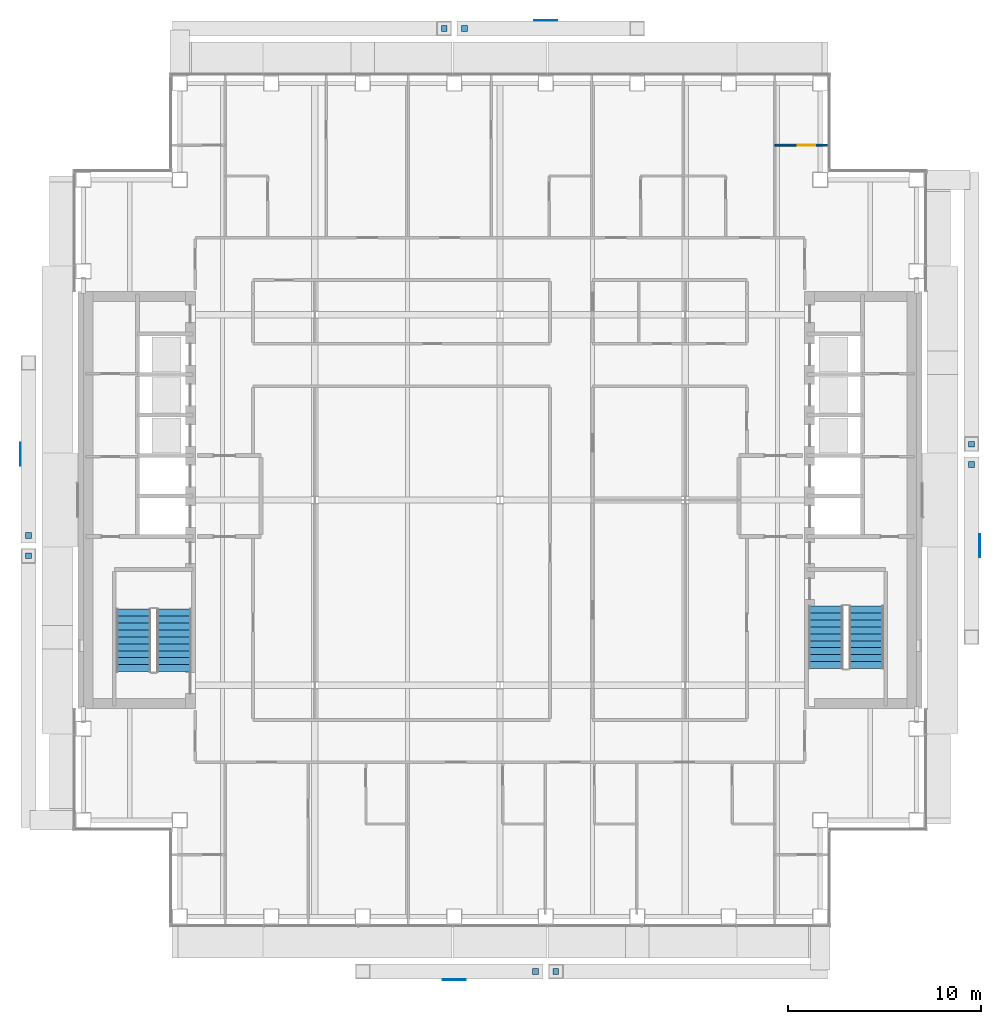
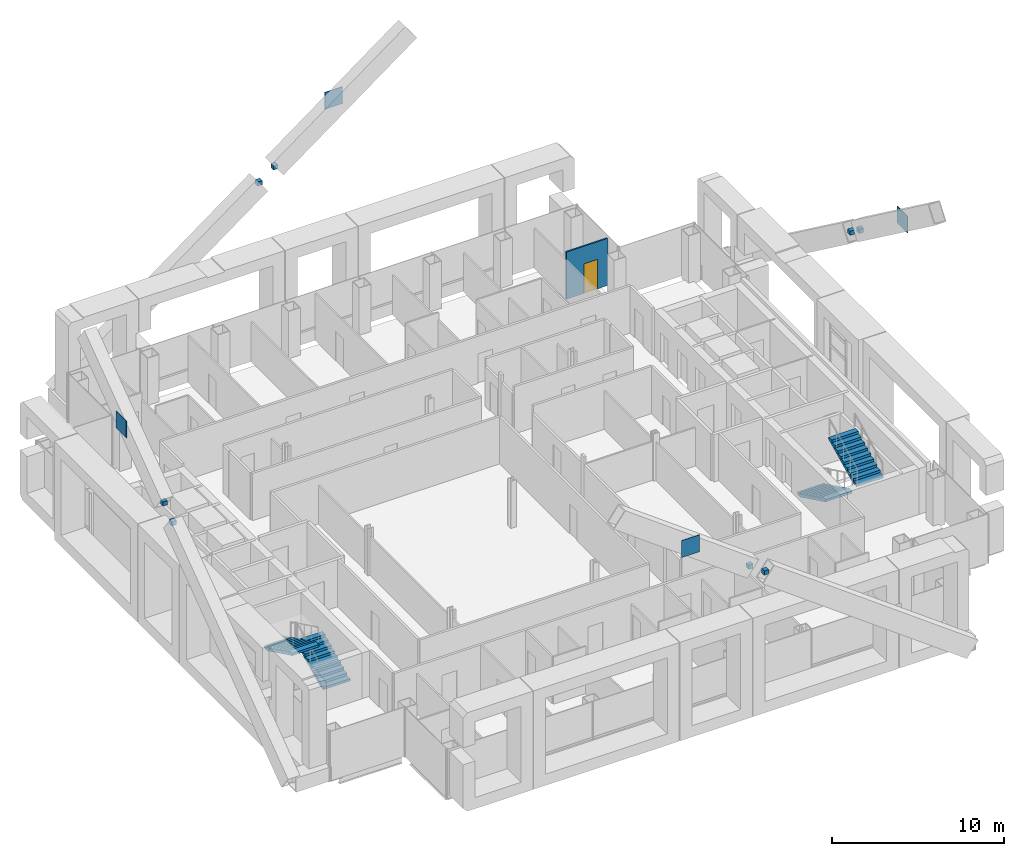
# One storey, part 16 of 22: 12 discrete accessories, 4 stair flights, 1 door, 1 wall, 1 opening, 2 elements without a shape of their own.
"""IFC4 building model written with IfcOpenShell, lengths in metres."""

from ifc_helpers import new_model, si_unit, direction, frame, frame_2d, origin, origin_2d, place, context, subcontext, project, spatial, polyline, rectangle, outline, extrude, material, layer, layer_set, type_object, element, fill, aggregate, save


model = new_model("IFC4")

# Units and contexts
model_context = context("Model", 3, precision=1e-05, world=origin(), true_north=direction((0.0, 1.0)))
body_context = subcontext(model_context, "Body", "Model", "MODEL_VIEW")
ifc_project = project(units=[si_unit("LENGTHUNIT", "METRE"), si_unit("AREAUNIT", "SQUARE_METRE"), si_unit("VOLUMEUNIT", "CUBIC_METRE"), si_unit("PLANEANGLEUNIT", "RADIAN"), si_unit("MASSUNIT", "GRAM", prefix="KILO")], contexts=[model_context])

# Site, building, storey
site_placement = place(None, origin())
site = spatial("IfcSite", under=ifc_project, at=site_placement, CompositionType="ELEMENT")
building_placement = place(site_placement, origin())
building = spatial("IfcBuilding", under=site, at=building_placement, Name="Cobrizo Arcos Hotel Tower", CompositionType="ELEMENT")
storey_placement = place(building_placement, frame((0.0, 0.0, 162.0)))
storey = spatial("IfcBuildingStorey", under=building, at=storey_placement, Name="L41", CompositionType="ELEMENT", Elevation=162.0)

# Wall, opening, door
ifc_material_1 = material(Name="Gypsum board partition")
ifc_layer = layer(ifc_material_1, 0.10009765625)
ifc_layer_set = layer_set([ifc_layer], Name="Partition EI 30 100")
wall_type = type_object("IfcWallType", Name="Partition EI 30 100", PredefinedType="PARTITIONING", material=ifc_layer_set)
wall_placement = place(storey_placement, frame((14.25, 18.39990234375, 0.0), z_axis=(0.0, 0.0, 1.0), x_axis=(1.0, 0.0, 0.0)))
wall = element("IfcWall", 1, at=wall_placement, inside=storey, type_object=wall_type, Name="Partition 046", PredefinedType="PARTITIONING", context=body_context, shape_type="SweptSolid", body=[
    extrude(rectangle(XDim=2.780029296875, YDim=0.10009765625, at=frame_2d((1.39013671875, 0.0))), origin(), (0.0, 0.0, 1.0), 3.35009765625),
])
opening_placement = place(wall_placement, frame((1.18896484375, 0.0, 0.0)))
opening = element("IfcOpeningElement", 2, at=opening_placement, cuts=wall, Name="Opening ED-13", PredefinedType="OPENING", context=body_context, shape_type="SweptSolid", body=[
    extrude(rectangle(XDim=0.89990234375, YDim=2.10009765625, at=frame_2d((0.449951171875, 1.050048828125))), frame((0.0, 0.06201171875, 0.0), z_axis=(0.0, -1.0, 0.0), x_axis=(1.0, 0.0, 0.0)), (0.0, 0.0, 1.0), 0.1240234375),
])
ifc_material_2 = material(Name="Timber door leaf", Category="wood")
door_type = type_object("IfcDoorType", Name="En-suite door 900x2100", OperationType="SINGLE_SWING_LEFT", PredefinedType="DOOR", material=ifc_material_2)
door_placement = place(opening_placement, origin())
door = element("IfcDoor", 3, at=door_placement, inside=storey, type_object=door_type, Name="Door ED-13", OperationType="SINGLE_SWING_LEFT", OverallHeight=2.10009765625, OverallWidth=0.89990234375, PredefinedType="DOOR", context=body_context, shape_type="SweptSolid", body=[
    extrude(rectangle(XDim=0.89990234375, YDim=2.10009765625, at=frame_2d((0.449951171875, 1.050048828125))), frame((0.0, 0.02490234375, 0.0), z_axis=(0.0, -1.0, 0.0), x_axis=(1.0, 0.0, 0.0)), (0.0, 0.0, 1.0), 0.050048828125),
])
fill(opening, door)

# Stair, stair flights
ifc_material_3 = material(Name="Concrete f'c 40 MPa", Category="concrete")
stair_type = type_object("IfcStairType", Name="Exit stair", PredefinedType="HALF_TURN_STAIR", material=ifc_material_3)
stair_1_placement = place(storey_placement, origin())
stair_1 = element("IfcStair", 4, at=stair_1_placement, inside=storey, type_object=stair_type, Name="L41 Exit stair ST-W", PredefinedType="HALF_TURN_STAIR")
stair_flight_type = type_object("IfcStairFlightType", Name="Exit stair flight", PredefinedType="STRAIGHT", material=ifc_material_3)
stair_flight_1_placement = place(storey_placement, frame((-16.89990234375, -8.89990234375, 0.0), z_axis=(0.0, 0.0, 1.0), x_axis=(0.0, 1.0, 0.0)))
stair_flight_1 = element("IfcStairFlight", 5, at=stair_flight_1_placement, type_object=stair_flight_type, Name="ST-W flight 1", NumberOfRisers=10, NumberOfTreads=9, PredefinedType="STRAIGHT", RiserHeight=0.175, TreadLength=0.36, context=body_context, shape_type="SweptSolid", body=[
    extrude(outline(polyline([(0.0, 0.0), (0.0, 0.175048828125), (0.360107421875, 0.175048828125), (0.360107421875, 0.35009765625), (0.719970703125, 0.35009765625), (0.719970703125, 0.52490234375), (1.080078125, 0.52490234375), (1.080078125, 0.699951171875), (1.43994140625, 0.699951171875), (1.43994140625, 0.875), (1.800048828125, 0.875), (1.800048828125, 1.050048828125), (2.159912109375, 1.050048828125), (2.159912109375, 1.22509765625), (2.52001953125, 1.22509765625), (2.52001953125, 1.39990234375), (2.8798828125, 1.39990234375), (2.8798828125, 1.574951171875), (3.239990234375, 1.574951171875), (3.239990234375, 1.75), (3.239990234375, 1.408203125), (0.3427734375, 0.0), (0.0, 0.0)])), frame((0.0, 0.89990234375, 0.0), z_axis=(0.0, -1.0, 0.0), x_axis=(1.0, 0.0, 0.0)), (0.0, 0.0, 1.0), 1.800048828125),
])
stair_flight_2_placement = place(storey_placement, frame((-19.0, -5.659912109375, 1.75), z_axis=(0.0, 0.0, 1.0), x_axis=(0.0, -1.0, 0.0)))
stair_flight_2 = element("IfcStairFlight", 6, at=stair_flight_2_placement, type_object=stair_flight_type, Name="ST-W flight 2", NumberOfRisers=10, NumberOfTreads=9, PredefinedType="STRAIGHT", RiserHeight=0.175, TreadLength=0.36, context=body_context, shape_type="SweptSolid", body=[
    extrude(outline(polyline([(0.0, 0.0), (0.0, 0.175048828125), (0.360107421875, 0.175048828125), (0.360107421875, 0.35009765625), (0.719970703125, 0.35009765625), (0.719970703125, 0.52490234375), (1.080078125, 0.52490234375), (1.080078125, 0.699951171875), (1.43994140625, 0.699951171875), (1.43994140625, 0.875), (1.800048828125, 0.875), (1.800048828125, 1.050048828125), (2.159912109375, 1.050048828125), (2.159912109375, 1.22509765625), (2.52001953125, 1.22509765625), (2.52001953125, 1.39990234375), (2.8798828125, 1.39990234375), (2.8798828125, 1.574951171875), (3.239990234375, 1.574951171875), (3.239990234375, 1.75), (3.239990234375, 1.408203125), (0.3427734375, 0.0), (0.0, 0.0)])), frame((0.0, 0.89990234375, 0.0), z_axis=(0.0, -1.0, 0.0), x_axis=(1.0, 0.0, 0.0)), (0.0, 0.0, 1.0), 1.800048828125),
])
aggregate(stair_1, [stair_flight_1, stair_flight_2])

stair_2_placement = place(storey_placement, origin())
stair_2 = element("IfcStair", 7, at=stair_2_placement, inside=storey, type_object=stair_type, Name="L41 Exit stair ST-E", PredefinedType="HALF_TURN_STAIR")
stair_flight_3_placement = place(storey_placement, frame((16.89990234375, -5.5, 0.0), z_axis=(0.0, 0.0, 1.0), x_axis=(0.0, -1.0, 0.0)))
stair_flight_3 = element("IfcStairFlight", 8, at=stair_flight_3_placement, type_object=stair_flight_type, Name="ST-E flight 1", NumberOfRisers=10, NumberOfTreads=9, PredefinedType="STRAIGHT", RiserHeight=0.175, TreadLength=0.36, context=body_context, shape_type="SweptSolid", body=[
    extrude(outline(polyline([(0.0, 0.0), (0.0, 0.175048828125), (0.360107421875, 0.175048828125), (0.360107421875, 0.35009765625), (0.719970703125, 0.35009765625), (0.719970703125, 0.52490234375), (1.080078125, 0.52490234375), (1.080078125, 0.699951171875), (1.43994140625, 0.699951171875), (1.43994140625, 0.875), (1.800048828125, 0.875), (1.800048828125, 1.050048828125), (2.159912109375, 1.050048828125), (2.159912109375, 1.22509765625), (2.52001953125, 1.22509765625), (2.52001953125, 1.39990234375), (2.8798828125, 1.39990234375), (2.8798828125, 1.574951171875), (3.239990234375, 1.574951171875), (3.239990234375, 1.75), (3.239990234375, 1.408203125), (0.3427734375, 0.0), (0.0, 0.0)])), frame((0.0, 0.89990234375, 0.0), z_axis=(0.0, -1.0, 0.0), x_axis=(1.0, 0.0, 0.0)), (0.0, 0.0, 1.0), 1.800048828125),
])
stair_flight_4_placement = place(storey_placement, frame((19.0, -8.739990234375, 1.75), z_axis=(0.0, 0.0, 1.0), x_axis=(0.0, 1.0, 0.0)))
stair_flight_4 = element("IfcStairFlight", 9, at=stair_flight_4_placement, type_object=stair_flight_type, Name="ST-E flight 2", NumberOfRisers=10, NumberOfTreads=9, PredefinedType="STRAIGHT", RiserHeight=0.175, TreadLength=0.36, context=body_context, shape_type="SweptSolid", body=[
    extrude(outline(polyline([(0.0, 0.0), (0.0, 0.175048828125), (0.360107421875, 0.175048828125), (0.360107421875, 0.35009765625), (0.719970703125, 0.35009765625), (0.719970703125, 0.52490234375), (1.080078125, 0.52490234375), (1.080078125, 0.699951171875), (1.43994140625, 0.699951171875), (1.43994140625, 0.875), (1.800048828125, 0.875), (1.800048828125, 1.050048828125), (2.159912109375, 1.050048828125), (2.159912109375, 1.22509765625), (2.52001953125, 1.22509765625), (2.52001953125, 1.39990234375), (2.8798828125, 1.39990234375), (2.8798828125, 1.574951171875), (3.239990234375, 1.574951171875), (3.239990234375, 1.75), (3.239990234375, 1.408203125), (0.3427734375, 0.0), (0.0, 0.0)])), frame((0.0, 0.89990234375, 0.0), z_axis=(0.0, -1.0, 0.0), x_axis=(1.0, 0.0, 0.0)), (0.0, 0.0, 1.0), 1.800048828125),
])
aggregate(stair_2, [stair_flight_3, stair_flight_4])

# Discrete accessories
ifc_material_4 = material(Name="Steel ASTM A572 Grade 50", Category="steel")
discrete_accessory_type_1 = type_object("IfcDiscreteAccessoryType", Name="GP-1 gusset plate 1200x1200x40", PredefinedType="BRACKET", material=ifc_material_4)
discrete_accessory_1_placement = place(storey_placement, frame((24.8701171875, -2.371337890625, 13.89990234375), z_axis=(0.0, 0.0, 1.0), x_axis=(1.0, 0.0, 0.0)))
element("IfcDiscreteAccessory", 10, at=discrete_accessory_1_placement, inside=storey, type_object=discrete_accessory_type_1, Name="Gusset plate br-Z3-E-09", PredefinedType="BRACKET", context=body_context, shape_type="SweptSolid", body=[
    extrude(rectangle(XDim=0.0400390625, YDim=1.199951171875, at=origin_2d()), origin(), (0.0, 0.0, 1.0), 1.199951171875),
])
for number, where, z_axis, x_axis, name in (
    (11, (2.371337890625, 24.8701171875, 13.89990234375), (0.0, 0.0, 1.0), (1.0, 0.0, 0.0), "Gusset plate br-Z3-N-09"),
    (12, (-2.371337890625, -24.8701171875, 13.89990234375), (0.0, 0.0, 1.0), (1.0, 0.0, 0.0), "Gusset plate br-Z3-S-09"),
):
    element("IfcDiscreteAccessory", number, at=place(storey_placement, frame(where, z_axis=z_axis, x_axis=x_axis)), inside=storey, type_object=discrete_accessory_type_1, Name=name, PredefinedType="BRACKET", context=body_context, shape_type="SweptSolid", body=[
        extrude(rectangle(XDim=1.199951171875, YDim=0.0400390625, at=origin_2d()), origin(), (0.0, 0.0, 1.0), 1.199951171875),
    ])
discrete_accessory_2_placement = place(storey_placement, frame((-24.8701171875, 2.371337890625, 13.89990234375), z_axis=(0.0, 0.0, 1.0), x_axis=(1.0, 0.0, 0.0)))
element("IfcDiscreteAccessory", 13, at=discrete_accessory_2_placement, inside=storey, type_object=discrete_accessory_type_1, Name="Gusset plate br-Z3-W-09", PredefinedType="BRACKET", context=body_context, shape_type="SweptSolid", body=[
    extrude(rectangle(XDim=0.0400390625, YDim=1.199951171875, at=origin_2d()), origin(), (0.0, 0.0, 1.0), 1.199951171875),
])
discrete_accessory_type_2 = type_object("IfcDiscreteAccessoryType", Name="GP-5 brace end plate 300x300x300", PredefinedType="BRACKET", material=ifc_material_4)
for number, where, z_axis, x_axis, name in (
    (14, (24.449951171875, 2.89453125, 10.4638671875), (0.0, 0.0, 1.0), (1.0, 0.0, 0.0), "Brace end plate"),
    (15, (24.449951171875, 1.84814453125, 11.23583984375), (0.0, 0.0, 1.0), (1.0, 0.0, 0.0), "Brace end plate"),
    (16, (-2.89453125, 24.449951171875, 10.4638671875), (0.0, 0.0, 1.0), (1.0, 0.0, 0.0), "Brace end plate"),
    (17, (-1.84814453125, 24.449951171875, 11.23583984375), (0.0, 0.0, 1.0), (1.0, 0.0, 0.0), "Brace end plate"),
    (18, (2.89453125, -24.449951171875, 10.4638671875), (0.0, 0.0, 1.0), (1.0, 0.0, 0.0), "Brace end plate"),
    (19, (1.84814453125, -24.449951171875, 11.23583984375), (0.0, 0.0, 1.0), (1.0, 0.0, 0.0), "Brace end plate"),
    (20, (-24.449951171875, -2.89453125, 10.4638671875), (0.0, 0.0, 1.0), (1.0, 0.0, 0.0), "Brace end plate"),
    (21, (-24.449951171875, -1.84814453125, 11.23583984375), (0.0, 0.0, 1.0), (1.0, 0.0, 0.0), "Brace end plate"),
):
    element("IfcDiscreteAccessory", number, at=place(storey_placement, frame(where, z_axis=z_axis, x_axis=x_axis)), inside=storey, type_object=discrete_accessory_type_2, Name=name, PredefinedType="BRACKET", context=body_context, shape_type="SweptSolid", body=[
        extrude(rectangle(XDim=0.300048828125, YDim=0.300048828125, at=origin_2d()), origin(), (0.0, 0.0, 1.0), 0.300048828125),
    ])

save(model, "model.ifc")
